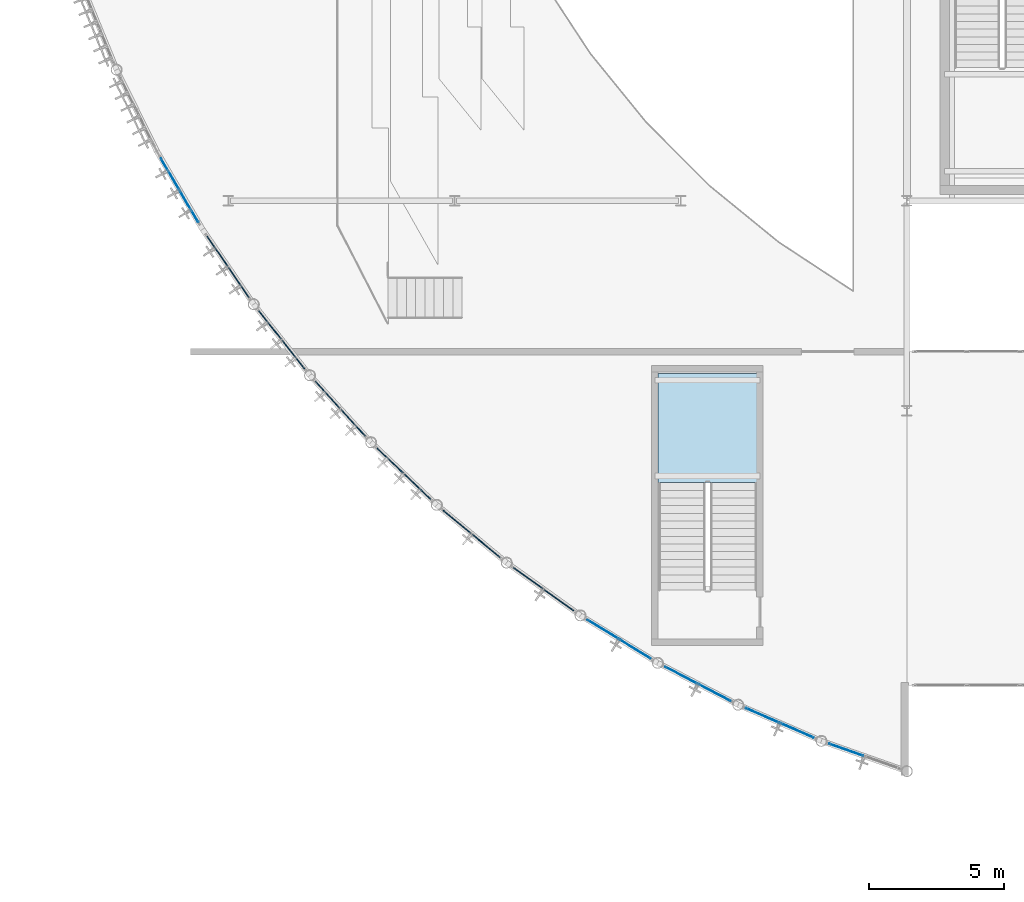
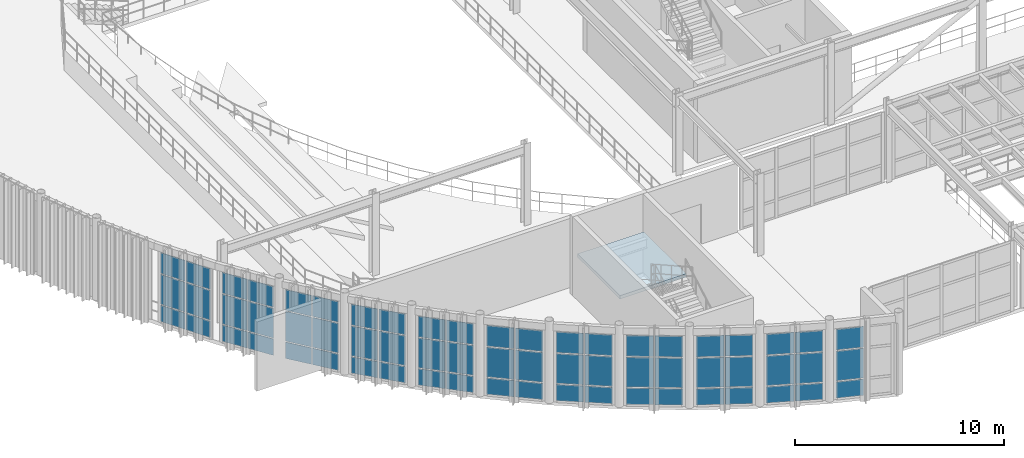
# One storey, part 72 of 105: 63 plates, 1 slab, 12 elements without a shape of their own.
"""IFC4 building model written with IfcOpenShell, lengths in metres."""

from ifc_helpers import new_model, si_unit, direction, frame, origin, origin_2d, place, context, subcontext, project, spatial, polyline, rectangle, outline, extrude, material, layer, layer_set, type_object, element, aggregate, save


model = new_model("IFC4")

# Units and contexts
model_context = context("Model", 3, precision=1e-05, world=origin(), true_north=direction((0.0, 1.0)))
body_context = subcontext(model_context, "Body", "Model", "MODEL_VIEW")
ifc_project = project(units=[si_unit("LENGTHUNIT", "METRE"), si_unit("AREAUNIT", "SQUARE_METRE"), si_unit("VOLUMEUNIT", "CUBIC_METRE"), si_unit("PLANEANGLEUNIT", "RADIAN"), si_unit("MASSUNIT", "GRAM", prefix="KILO")], contexts=[model_context])

# Site, building, storey
site_placement = place(None, origin())
site = spatial("IfcSite", under=ifc_project, at=site_placement, CompositionType="ELEMENT")
building_placement = place(site_placement, origin())
building = spatial("IfcBuilding", under=site, at=building_placement, Name="Selat Folded Stagehouse", CompositionType="ELEMENT")
storey_placement = place(building_placement, frame((0.0, 0.0, 10.199951171875)))
storey = spatial("IfcBuildingStorey", under=building, at=storey_placement, Name="L02", CompositionType="ELEMENT", Elevation=10.199951171875)

# Curtain wall, plates
ifc_material_1 = material(Name="Aluminium 6063-T6", Category="aluminium")
ifc_layer_1 = layer(ifc_material_1, 0.199951171875)
ifc_layer_set_1 = layer_set([ifc_layer_1], Name="Aluminium 6063-T6")
curtain_wall_type = type_object("IfcCurtainWallType", Name="CW-DRM-MID", PredefinedType="NOTDEFINED", material=ifc_layer_set_1)
curtain_wall_1_placement = place(storey_placement, origin())
curtain_wall_1 = element("IfcCurtainWall", 1, at=curtain_wall_1_placement, inside=storey, type_object=curtain_wall_type, Name="L02 curtain wall CW-DRM-L02-09", PredefinedType="NOTDEFINED")
ifc_material_2 = material(Name="Laminated low-E double glazing", Category="glass")
ifc_layer_2 = layer(ifc_material_2, 0.031982421875)
ifc_layer_set_2 = layer_set([ifc_layer_2], Name="Laminated low-E double glazing")
plate_type = type_object("IfcPlateType", Name="CWP-GLZ-DGU32", PredefinedType="CURTAIN_PANEL", material=ifc_layer_set_2)
plate_1_placement = place(storey_placement, frame((6.93994140625, 23.186279296875, 0.06494140625), z_axis=(0.0, 0.0, 1.0), x_axis=(-0.504635839764, 0.863332305214, 0.0)))
plate_1 = element("IfcPlate", 2, at=plate_1_placement, type_object=plate_type, Name="CW-02 panel 1.1", PredefinedType="CURTAIN_PANEL", context=body_context, shape_type="SweptSolid", body=[
    extrude(rectangle(XDim=1.3369140625, YDim=0.031982421875, at=origin_2d()), origin(), (0.0, 0.0, 1.0), 0.952392578125),
])
plate_2_placement = place(storey_placement, frame((6.93994140625, 23.186279296875, 1.08251953125), z_axis=(0.0, 0.0, 1.0), x_axis=(-0.504635839764, 0.863332305214, 0.0)))
plate_2 = element("IfcPlate", 3, at=plate_2_placement, type_object=plate_type, Name="CW-02 panel 1.2", PredefinedType="CURTAIN_PANEL", context=body_context, shape_type="SweptSolid", body=[
    extrude(rectangle(XDim=1.3369140625, YDim=0.031982421875, at=origin_2d()), origin(), (0.0, 0.0, 1.0), 1.735107421875),
])
plate_3_placement = place(storey_placement, frame((6.93994140625, 23.186279296875, 2.882568359375), z_axis=(0.0, 0.0, 1.0), x_axis=(-0.504635839764, 0.863332305214, 0.0)))
plate_3 = element("IfcPlate", 4, at=plate_3_placement, type_object=plate_type, Name="CW-02 panel 1.3", PredefinedType="CURTAIN_PANEL", context=body_context, shape_type="SweptSolid", body=[
    extrude(rectangle(XDim=1.3369140625, YDim=0.031982421875, at=origin_2d()), origin(), (0.0, 0.0, 1.0), 1.21240234375),
])
plate_4_placement = place(storey_placement, frame((6.232421875, 24.396728515625, 0.06494140625), z_axis=(0.0, 0.0, 1.0), x_axis=(-0.504635839764, 0.863332305214, 0.0)))
plate_4 = element("IfcPlate", 5, at=plate_4_placement, type_object=plate_type, Name="CW-02 panel 2.1", PredefinedType="CURTAIN_PANEL", context=body_context, shape_type="SweptSolid", body=[
    extrude(rectangle(XDim=1.3369140625, YDim=0.031982421875, at=origin_2d()), origin(), (0.0, 0.0, 1.0), 0.952392578125),
])
plate_5_placement = place(storey_placement, frame((6.232421875, 24.396728515625, 1.08251953125), z_axis=(0.0, 0.0, 1.0), x_axis=(-0.504635839764, 0.863332305214, 0.0)))
plate_5 = element("IfcPlate", 6, at=plate_5_placement, type_object=plate_type, Name="CW-02 panel 2.2", PredefinedType="CURTAIN_PANEL", context=body_context, shape_type="SweptSolid", body=[
    extrude(rectangle(XDim=1.3369140625, YDim=0.031982421875, at=origin_2d()), origin(), (0.0, 0.0, 1.0), 1.735107421875),
])
plate_6_placement = place(storey_placement, frame((6.232421875, 24.396728515625, 2.882568359375), z_axis=(0.0, 0.0, 1.0), x_axis=(-0.504635839764, 0.863332305214, 0.0)))
plate_6 = element("IfcPlate", 7, at=plate_6_placement, type_object=plate_type, Name="CW-02 panel 2.3", PredefinedType="CURTAIN_PANEL", context=body_context, shape_type="SweptSolid", body=[
    extrude(rectangle(XDim=1.3369140625, YDim=0.031982421875, at=origin_2d()), origin(), (0.0, 0.0, 1.0), 1.21240234375),
])
aggregate(curtain_wall_1, [plate_1, plate_2, plate_3, plate_4, plate_5, plate_6])

curtain_wall_2_placement = place(storey_placement, origin())
curtain_wall_2 = element("IfcCurtainWall", 8, at=curtain_wall_2_placement, inside=storey, type_object=curtain_wall_type, Name="L02 curtain wall CW-DRM-L02-10", PredefinedType="NOTDEFINED")
plate_7_placement = place(storey_placement, frame((8.781494140625, 20.3671875, 0.06494140625), z_axis=(0.0, 0.0, 1.0), x_axis=(-0.563947732504, 0.825810483709, 0.0)))
plate_7 = element("IfcPlate", 9, at=plate_7_placement, type_object=plate_type, Name="CW-02 panel 1.1", PredefinedType="CURTAIN_PANEL", context=body_context, shape_type="SweptSolid", body=[
    extrude(rectangle(XDim=1.3369140625, YDim=0.031982421875, at=origin_2d()), origin(), (0.0, 0.0, 1.0), 0.952392578125),
])
plate_8_placement = place(storey_placement, frame((8.781494140625, 20.3671875, 1.08251953125), z_axis=(0.0, 0.0, 1.0), x_axis=(-0.563947732504, 0.825810483709, 0.0)))
plate_8 = element("IfcPlate", 10, at=plate_8_placement, type_object=plate_type, Name="CW-02 panel 1.2", PredefinedType="CURTAIN_PANEL", context=body_context, shape_type="SweptSolid", body=[
    extrude(rectangle(XDim=1.3369140625, YDim=0.031982421875, at=origin_2d()), origin(), (0.0, 0.0, 1.0), 1.735107421875),
])
plate_9_placement = place(storey_placement, frame((8.781494140625, 20.3671875, 2.882568359375), z_axis=(0.0, 0.0, 1.0), x_axis=(-0.563947732504, 0.825810483709, 0.0)))
plate_9 = element("IfcPlate", 11, at=plate_9_placement, type_object=plate_type, Name="CW-02 panel 1.3", PredefinedType="CURTAIN_PANEL", context=body_context, shape_type="SweptSolid", body=[
    extrude(rectangle(XDim=1.3369140625, YDim=0.031982421875, at=origin_2d()), origin(), (0.0, 0.0, 1.0), 1.21240234375),
])
plate_10_placement = place(storey_placement, frame((7.990966796875, 21.525146484375, 0.06494140625), z_axis=(0.0, 0.0, 1.0), x_axis=(-0.563947732504, 0.825810483709, 0.0)))
plate_10 = element("IfcPlate", 12, at=plate_10_placement, type_object=plate_type, Name="CW-02 panel 2.1", PredefinedType="CURTAIN_PANEL", context=body_context, shape_type="SweptSolid", body=[
    extrude(rectangle(XDim=1.3369140625, YDim=0.031982421875, at=origin_2d()), origin(), (0.0, 0.0, 1.0), 0.952392578125),
])
plate_11_placement = place(storey_placement, frame((7.990966796875, 21.525146484375, 1.08251953125), z_axis=(0.0, 0.0, 1.0), x_axis=(-0.563947732504, 0.825810483709, 0.0)))
plate_11 = element("IfcPlate", 13, at=plate_11_placement, type_object=plate_type, Name="CW-02 panel 2.2", PredefinedType="CURTAIN_PANEL", context=body_context, shape_type="SweptSolid", body=[
    extrude(rectangle(XDim=1.3369140625, YDim=0.031982421875, at=origin_2d()), origin(), (0.0, 0.0, 1.0), 1.735107421875),
])
plate_12_placement = place(storey_placement, frame((7.990966796875, 21.525146484375, 2.882568359375), z_axis=(0.0, 0.0, 1.0), x_axis=(-0.563947732504, 0.825810483709, 0.0)))
plate_12 = element("IfcPlate", 14, at=plate_12_placement, type_object=plate_type, Name="CW-02 panel 2.3", PredefinedType="CURTAIN_PANEL", context=body_context, shape_type="SweptSolid", body=[
    extrude(rectangle(XDim=1.3369140625, YDim=0.031982421875, at=origin_2d()), origin(), (0.0, 0.0, 1.0), 1.21240234375),
])
aggregate(curtain_wall_2, [plate_7, plate_8, plate_9, plate_10, plate_11, plate_12])

curtain_wall_3_placement = place(storey_placement, origin())
curtain_wall_3 = element("IfcCurtainWall", 15, at=curtain_wall_3_placement, inside=storey, type_object=curtain_wall_type, Name="L02 curtain wall CW-DRM-L02-11", PredefinedType="NOTDEFINED")
plate_13_placement = place(storey_placement, frame((10.81640625, 17.684326171875, 0.06494140625), z_axis=(0.0, 0.0, 1.0), x_axis=(-0.620533301992, 0.784180094825, 0.0)))
plate_13 = element("IfcPlate", 16, at=plate_13_placement, type_object=plate_type, Name="CW-02 panel 1.1", PredefinedType="CURTAIN_PANEL", context=body_context, shape_type="SweptSolid", body=[
    extrude(rectangle(XDim=1.3369140625, YDim=0.031982421875, at=origin_2d()), origin(), (0.0, 0.0, 1.0), 0.952392578125),
])
plate_14_placement = place(storey_placement, frame((10.81640625, 17.684326171875, 1.08251953125), z_axis=(0.0, 0.0, 1.0), x_axis=(-0.620533301992, 0.784180094825, 0.0)))
plate_14 = element("IfcPlate", 17, at=plate_14_placement, type_object=plate_type, Name="CW-02 panel 1.2", PredefinedType="CURTAIN_PANEL", context=body_context, shape_type="SweptSolid", body=[
    extrude(rectangle(XDim=1.3369140625, YDim=0.031982421875, at=origin_2d()), origin(), (0.0, 0.0, 1.0), 1.735107421875),
])
plate_15_placement = place(storey_placement, frame((10.81640625, 17.684326171875, 2.882568359375), z_axis=(0.0, 0.0, 1.0), x_axis=(-0.620533301992, 0.784180094825, 0.0)))
plate_15 = element("IfcPlate", 18, at=plate_15_placement, type_object=plate_type, Name="CW-02 panel 1.3", PredefinedType="CURTAIN_PANEL", context=body_context, shape_type="SweptSolid", body=[
    extrude(rectangle(XDim=1.3369140625, YDim=0.031982421875, at=origin_2d()), origin(), (0.0, 0.0, 1.0), 1.21240234375),
])
plate_16_placement = place(storey_placement, frame((9.946533203125, 18.78369140625, 0.06494140625), z_axis=(0.0, 0.0, 1.0), x_axis=(-0.620533301992, 0.784180094825, 0.0)))
plate_16 = element("IfcPlate", 19, at=plate_16_placement, type_object=plate_type, Name="CW-02 panel 2.1", PredefinedType="CURTAIN_PANEL", context=body_context, shape_type="SweptSolid", body=[
    extrude(rectangle(XDim=1.3369140625, YDim=0.031982421875, at=origin_2d()), origin(), (0.0, 0.0, 1.0), 0.952392578125),
])
plate_17_placement = place(storey_placement, frame((9.946533203125, 18.78369140625, 1.08251953125), z_axis=(0.0, 0.0, 1.0), x_axis=(-0.620533301992, 0.784180094825, 0.0)))
plate_17 = element("IfcPlate", 20, at=plate_17_placement, type_object=plate_type, Name="CW-02 panel 2.2", PredefinedType="CURTAIN_PANEL", context=body_context, shape_type="SweptSolid", body=[
    extrude(rectangle(XDim=1.3369140625, YDim=0.031982421875, at=origin_2d()), origin(), (0.0, 0.0, 1.0), 1.735107421875),
])
plate_18_placement = place(storey_placement, frame((9.946533203125, 18.78369140625, 2.882568359375), z_axis=(0.0, 0.0, 1.0), x_axis=(-0.620533301992, 0.784180094825, 0.0)))
plate_18 = element("IfcPlate", 21, at=plate_18_placement, type_object=plate_type, Name="CW-02 panel 2.3", PredefinedType="CURTAIN_PANEL", context=body_context, shape_type="SweptSolid", body=[
    extrude(rectangle(XDim=1.3369140625, YDim=0.031982421875, at=origin_2d()), origin(), (0.0, 0.0, 1.0), 1.21240234375),
])
aggregate(curtain_wall_3, [plate_13, plate_14, plate_15, plate_16, plate_17, plate_18])

curtain_wall_4_placement = place(storey_placement, origin())
curtain_wall_4 = element("IfcCurtainWall", 22, at=curtain_wall_4_placement, inside=storey, type_object=curtain_wall_type, Name="L02 curtain wall CW-DRM-L02-12", PredefinedType="NOTDEFINED")
plate_19_placement = place(storey_placement, frame((13.034423828125, 15.15087890625, 0.06494140625), z_axis=(0.0, 0.0, 1.0), x_axis=(-0.674002369336, 0.738729183213, 0.0)))
plate_19 = element("IfcPlate", 23, at=plate_19_placement, type_object=plate_type, Name="CW-02 panel 1.1", PredefinedType="CURTAIN_PANEL", context=body_context, shape_type="SweptSolid", body=[
    extrude(rectangle(XDim=1.3369140625, YDim=0.031982421875, at=origin_2d()), origin(), (0.0, 0.0, 1.0), 0.952392578125),
])
plate_20_placement = place(storey_placement, frame((13.034423828125, 15.15087890625, 1.08251953125), z_axis=(0.0, 0.0, 1.0), x_axis=(-0.674002369336, 0.738729183213, 0.0)))
plate_20 = element("IfcPlate", 24, at=plate_20_placement, type_object=plate_type, Name="CW-02 panel 1.2", PredefinedType="CURTAIN_PANEL", context=body_context, shape_type="SweptSolid", body=[
    extrude(rectangle(XDim=1.3369140625, YDim=0.031982421875, at=origin_2d()), origin(), (0.0, 0.0, 1.0), 1.735107421875),
])
plate_21_placement = place(storey_placement, frame((13.034423828125, 15.15087890625, 2.882568359375), z_axis=(0.0, 0.0, 1.0), x_axis=(-0.674002369336, 0.738729183213, 0.0)))
plate_21 = element("IfcPlate", 25, at=plate_21_placement, type_object=plate_type, Name="CW-02 panel 1.3", PredefinedType="CURTAIN_PANEL", context=body_context, shape_type="SweptSolid", body=[
    extrude(rectangle(XDim=1.3369140625, YDim=0.031982421875, at=origin_2d()), origin(), (0.0, 0.0, 1.0), 1.21240234375),
])
plate_22_placement = place(storey_placement, frame((12.089599609375, 16.1865234375, 0.06494140625), z_axis=(0.0, 0.0, 1.0), x_axis=(-0.674002369336, 0.738729183213, 0.0)))
plate_22 = element("IfcPlate", 26, at=plate_22_placement, type_object=plate_type, Name="CW-02 panel 2.1", PredefinedType="CURTAIN_PANEL", context=body_context, shape_type="SweptSolid", body=[
    extrude(rectangle(XDim=1.3369140625, YDim=0.031982421875, at=origin_2d()), origin(), (0.0, 0.0, 1.0), 0.952392578125),
])
plate_23_placement = place(storey_placement, frame((12.089599609375, 16.1865234375, 1.08251953125), z_axis=(0.0, 0.0, 1.0), x_axis=(-0.674002369336, 0.738729183213, 0.0)))
plate_23 = element("IfcPlate", 27, at=plate_23_placement, type_object=plate_type, Name="CW-02 panel 2.2", PredefinedType="CURTAIN_PANEL", context=body_context, shape_type="SweptSolid", body=[
    extrude(rectangle(XDim=1.3369140625, YDim=0.031982421875, at=origin_2d()), origin(), (0.0, 0.0, 1.0), 1.735107421875),
])
plate_24_placement = place(storey_placement, frame((12.089599609375, 16.1865234375, 2.882568359375), z_axis=(0.0, 0.0, 1.0), x_axis=(-0.674002369336, 0.738729183213, 0.0)))
plate_24 = element("IfcPlate", 28, at=plate_24_placement, type_object=plate_type, Name="CW-02 panel 2.3", PredefinedType="CURTAIN_PANEL", context=body_context, shape_type="SweptSolid", body=[
    extrude(rectangle(XDim=1.3369140625, YDim=0.031982421875, at=origin_2d()), origin(), (0.0, 0.0, 1.0), 1.21240234375),
])
aggregate(curtain_wall_4, [plate_19, plate_20, plate_21, plate_22, plate_23, plate_24])

curtain_wall_5_placement = place(storey_placement, origin())
curtain_wall_5 = element("IfcCurtainWall", 29, at=curtain_wall_5_placement, inside=storey, type_object=curtain_wall_type, Name="L02 curtain wall CW-DRM-L02-13", PredefinedType="NOTDEFINED")
plate_25_placement = place(storey_placement, frame((15.4248046875, 12.779052734375, 0.06494140625), z_axis=(0.0, 0.0, 1.0), x_axis=(-0.724132128869, 0.689661264636, 0.0)))
plate_25 = element("IfcPlate", 30, at=plate_25_placement, type_object=plate_type, Name="CW-02 panel 1.1", PredefinedType="CURTAIN_PANEL", context=body_context, shape_type="SweptSolid", body=[
    extrude(rectangle(XDim=1.337158203125, YDim=0.031982421875, at=origin_2d()), origin(), (0.0, 0.0, 1.0), 0.952392578125),
])
plate_26_placement = place(storey_placement, frame((15.4248046875, 12.779052734375, 1.08251953125), z_axis=(0.0, 0.0, 1.0), x_axis=(-0.724132128869, 0.689661264636, 0.0)))
plate_26 = element("IfcPlate", 31, at=plate_26_placement, type_object=plate_type, Name="CW-02 panel 1.2", PredefinedType="CURTAIN_PANEL", context=body_context, shape_type="SweptSolid", body=[
    extrude(rectangle(XDim=1.337158203125, YDim=0.031982421875, at=origin_2d()), origin(), (0.0, 0.0, 1.0), 1.735107421875),
])
plate_27_placement = place(storey_placement, frame((15.4248046875, 12.779052734375, 2.882568359375), z_axis=(0.0, 0.0, 1.0), x_axis=(-0.724132128869, 0.689661264636, 0.0)))
plate_27 = element("IfcPlate", 32, at=plate_27_placement, type_object=plate_type, Name="CW-02 panel 1.3", PredefinedType="CURTAIN_PANEL", context=body_context, shape_type="SweptSolid", body=[
    extrude(rectangle(XDim=1.337158203125, YDim=0.031982421875, at=origin_2d()), origin(), (0.0, 0.0, 1.0), 1.21240234375),
])
plate_28_placement = place(storey_placement, frame((14.40966796875, 13.74609375, 0.06494140625), z_axis=(0.0, 0.0, 1.0), x_axis=(-0.724132128869, 0.689661264636, 0.0)))
plate_28 = element("IfcPlate", 33, at=plate_28_placement, type_object=plate_type, Name="CW-02 panel 2.1", PredefinedType="CURTAIN_PANEL", context=body_context, shape_type="SweptSolid", body=[
    extrude(rectangle(XDim=1.337158203125, YDim=0.031982421875, at=origin_2d()), origin(), (0.0, 0.0, 1.0), 0.952392578125),
])
plate_29_placement = place(storey_placement, frame((14.40966796875, 13.74609375, 1.08251953125), z_axis=(0.0, 0.0, 1.0), x_axis=(-0.724132128869, 0.689661264636, 0.0)))
plate_29 = element("IfcPlate", 34, at=plate_29_placement, type_object=plate_type, Name="CW-02 panel 2.2", PredefinedType="CURTAIN_PANEL", context=body_context, shape_type="SweptSolid", body=[
    extrude(rectangle(XDim=1.337158203125, YDim=0.031982421875, at=origin_2d()), origin(), (0.0, 0.0, 1.0), 1.735107421875),
])
plate_30_placement = place(storey_placement, frame((14.40966796875, 13.74609375, 2.882568359375), z_axis=(0.0, 0.0, 1.0), x_axis=(-0.724132128869, 0.689661264636, 0.0)))
plate_30 = element("IfcPlate", 35, at=plate_30_placement, type_object=plate_type, Name="CW-02 panel 2.3", PredefinedType="CURTAIN_PANEL", context=body_context, shape_type="SweptSolid", body=[
    extrude(rectangle(XDim=1.337158203125, YDim=0.031982421875, at=origin_2d()), origin(), (0.0, 0.0, 1.0), 1.21240234375),
])
aggregate(curtain_wall_5, [plate_25, plate_26, plate_27, plate_28, plate_29, plate_30])

curtain_wall_6_placement = place(storey_placement, origin())
curtain_wall_6 = element("IfcCurtainWall", 36, at=curtain_wall_6_placement, inside=storey, type_object=curtain_wall_type, Name="L02 curtain wall CW-DRM-L02-14", PredefinedType="NOTDEFINED")
plate_31_placement = place(storey_placement, frame((17.9755859375, 10.580810546875, 0.06494140625), z_axis=(0.0, 0.0, 1.0), x_axis=(-0.770746654899, 0.637141737734, 0.0)))
plate_31 = element("IfcPlate", 37, at=plate_31_placement, type_object=plate_type, Name="CW-02 panel 1.1", PredefinedType="CURTAIN_PANEL", context=body_context, shape_type="SweptSolid", body=[
    extrude(rectangle(XDim=1.3369140625, YDim=0.031982421875, at=origin_2d()), origin(), (0.0, 0.0, 1.0), 0.952392578125),
])
plate_32_placement = place(storey_placement, frame((17.9755859375, 10.580810546875, 1.08251953125), z_axis=(0.0, 0.0, 1.0), x_axis=(-0.770746654899, 0.637141737734, 0.0)))
plate_32 = element("IfcPlate", 38, at=plate_32_placement, type_object=plate_type, Name="CW-02 panel 1.2", PredefinedType="CURTAIN_PANEL", context=body_context, shape_type="SweptSolid", body=[
    extrude(rectangle(XDim=1.3369140625, YDim=0.031982421875, at=origin_2d()), origin(), (0.0, 0.0, 1.0), 1.735107421875),
])
plate_33_placement = place(storey_placement, frame((17.9755859375, 10.580810546875, 2.882568359375), z_axis=(0.0, 0.0, 1.0), x_axis=(-0.770746654899, 0.637141737734, 0.0)))
plate_33 = element("IfcPlate", 39, at=plate_33_placement, type_object=plate_type, Name="CW-02 panel 1.3", PredefinedType="CURTAIN_PANEL", context=body_context, shape_type="SweptSolid", body=[
    extrude(rectangle(XDim=1.3369140625, YDim=0.031982421875, at=origin_2d()), origin(), (0.0, 0.0, 1.0), 1.21240234375),
])
plate_34_placement = place(storey_placement, frame((16.89501953125, 11.47412109375, 0.06494140625), z_axis=(0.0, 0.0, 1.0), x_axis=(-0.770746654899, 0.637141737734, 0.0)))
plate_34 = element("IfcPlate", 40, at=plate_34_placement, type_object=plate_type, Name="CW-02 panel 2.1", PredefinedType="CURTAIN_PANEL", context=body_context, shape_type="SweptSolid", body=[
    extrude(rectangle(XDim=1.3369140625, YDim=0.031982421875, at=origin_2d()), origin(), (0.0, 0.0, 1.0), 0.952392578125),
])
plate_35_placement = place(storey_placement, frame((16.89501953125, 11.47412109375, 1.08251953125), z_axis=(0.0, 0.0, 1.0), x_axis=(-0.770746654899, 0.637141737734, 0.0)))
plate_35 = element("IfcPlate", 41, at=plate_35_placement, type_object=plate_type, Name="CW-02 panel 2.2", PredefinedType="CURTAIN_PANEL", context=body_context, shape_type="SweptSolid", body=[
    extrude(rectangle(XDim=1.3369140625, YDim=0.031982421875, at=origin_2d()), origin(), (0.0, 0.0, 1.0), 1.735107421875),
])
plate_36_placement = place(storey_placement, frame((16.89501953125, 11.47412109375, 2.882568359375), z_axis=(0.0, 0.0, 1.0), x_axis=(-0.770746654899, 0.637141737734, 0.0)))
plate_36 = element("IfcPlate", 42, at=plate_36_placement, type_object=plate_type, Name="CW-02 panel 2.3", PredefinedType="CURTAIN_PANEL", context=body_context, shape_type="SweptSolid", body=[
    extrude(rectangle(XDim=1.3369140625, YDim=0.031982421875, at=origin_2d()), origin(), (0.0, 0.0, 1.0), 1.21240234375),
])
aggregate(curtain_wall_6, [plate_31, plate_32, plate_33, plate_34, plate_35, plate_36])

curtain_wall_7_placement = place(storey_placement, origin())
curtain_wall_7 = element("IfcCurtainWall", 43, at=curtain_wall_7_placement, inside=storey, type_object=curtain_wall_type, Name="L02 curtain wall CW-DRM-L02-15", PredefinedType="NOTDEFINED")
plate_37_placement = place(storey_placement, frame((20.67431640625, 8.567138671875, 0.06494140625), z_axis=(0.0, 0.0, 1.0), x_axis=(-0.813526170861, 0.581528304836, 0.0)))
plate_37 = element("IfcPlate", 44, at=plate_37_placement, type_object=plate_type, Name="CW-02 panel 1.1", PredefinedType="CURTAIN_PANEL", context=body_context, shape_type="SweptSolid", body=[
    extrude(rectangle(XDim=1.3369140625, YDim=0.031982421875, at=origin_2d()), origin(), (0.0, 0.0, 1.0), 0.952392578125),
])
plate_38_placement = place(storey_placement, frame((20.67431640625, 8.567138671875, 1.08251953125), z_axis=(0.0, 0.0, 1.0), x_axis=(-0.813526170861, 0.581528304836, 0.0)))
plate_38 = element("IfcPlate", 45, at=plate_38_placement, type_object=plate_type, Name="CW-02 panel 1.2", PredefinedType="CURTAIN_PANEL", context=body_context, shape_type="SweptSolid", body=[
    extrude(rectangle(XDim=1.3369140625, YDim=0.031982421875, at=origin_2d()), origin(), (0.0, 0.0, 1.0), 1.735107421875),
])
plate_39_placement = place(storey_placement, frame((20.67431640625, 8.567138671875, 2.882568359375), z_axis=(0.0, 0.0, 1.0), x_axis=(-0.813526170861, 0.581528304836, 0.0)))
plate_39 = element("IfcPlate", 46, at=plate_39_placement, type_object=plate_type, Name="CW-02 panel 1.3", PredefinedType="CURTAIN_PANEL", context=body_context, shape_type="SweptSolid", body=[
    extrude(rectangle(XDim=1.3369140625, YDim=0.031982421875, at=origin_2d()), origin(), (0.0, 0.0, 1.0), 1.21240234375),
])
plate_40_placement = place(storey_placement, frame((19.53369140625, 9.38232421875, 0.06494140625), z_axis=(0.0, 0.0, 1.0), x_axis=(-0.813526170861, 0.581528304836, 0.0)))
plate_40 = element("IfcPlate", 47, at=plate_40_placement, type_object=plate_type, Name="CW-02 panel 2.1", PredefinedType="CURTAIN_PANEL", context=body_context, shape_type="SweptSolid", body=[
    extrude(rectangle(XDim=1.3369140625, YDim=0.031982421875, at=origin_2d()), origin(), (0.0, 0.0, 1.0), 0.952392578125),
])
plate_41_placement = place(storey_placement, frame((19.53369140625, 9.38232421875, 1.08251953125), z_axis=(0.0, 0.0, 1.0), x_axis=(-0.813526170861, 0.581528304836, 0.0)))
plate_41 = element("IfcPlate", 48, at=plate_41_placement, type_object=plate_type, Name="CW-02 panel 2.2", PredefinedType="CURTAIN_PANEL", context=body_context, shape_type="SweptSolid", body=[
    extrude(rectangle(XDim=1.3369140625, YDim=0.031982421875, at=origin_2d()), origin(), (0.0, 0.0, 1.0), 1.735107421875),
])
plate_42_placement = place(storey_placement, frame((19.53369140625, 9.38232421875, 2.882568359375), z_axis=(0.0, 0.0, 1.0), x_axis=(-0.813526170861, 0.581528304836, 0.0)))
plate_42 = element("IfcPlate", 49, at=plate_42_placement, type_object=plate_type, Name="CW-02 panel 2.3", PredefinedType="CURTAIN_PANEL", context=body_context, shape_type="SweptSolid", body=[
    extrude(rectangle(XDim=1.3369140625, YDim=0.031982421875, at=origin_2d()), origin(), (0.0, 0.0, 1.0), 1.21240234375),
])
aggregate(curtain_wall_7, [plate_37, plate_38, plate_39, plate_40, plate_41, plate_42])

curtain_wall_8_placement = place(storey_placement, origin())
curtain_wall_8 = element("IfcCurtainWall", 50, at=curtain_wall_8_placement, inside=storey, type_object=curtain_wall_type, Name="L02 curtain wall CW-DRM-L02-16", PredefinedType="NOTDEFINED")
plate_43_placement = place(storey_placement, frame((23.507568359375, 6.747314453125, 0.06494140625), z_axis=(0.0, 0.0, 1.0), x_axis=(-0.852317078277, 0.523025427755, 0.0)))
plate_43 = element("IfcPlate", 51, at=plate_43_placement, type_object=plate_type, Name="CW-02 panel 1.1", PredefinedType="CURTAIN_PANEL", context=body_context, shape_type="SweptSolid", body=[
    extrude(rectangle(XDim=1.3369140625, YDim=0.031982421875, at=origin_2d()), origin(), (0.0, 0.0, 1.0), 0.952392578125),
])
plate_44_placement = place(storey_placement, frame((23.507568359375, 6.747314453125, 1.08251953125), z_axis=(0.0, 0.0, 1.0), x_axis=(-0.852317078277, 0.523025427755, 0.0)))
plate_44 = element("IfcPlate", 52, at=plate_44_placement, type_object=plate_type, Name="CW-02 panel 1.2", PredefinedType="CURTAIN_PANEL", context=body_context, shape_type="SweptSolid", body=[
    extrude(rectangle(XDim=1.3369140625, YDim=0.031982421875, at=origin_2d()), origin(), (0.0, 0.0, 1.0), 1.735107421875),
])
plate_45_placement = place(storey_placement, frame((23.507568359375, 6.747314453125, 2.882568359375), z_axis=(0.0, 0.0, 1.0), x_axis=(-0.852317078277, 0.523025427755, 0.0)))
plate_45 = element("IfcPlate", 53, at=plate_45_placement, type_object=plate_type, Name="CW-02 panel 1.3", PredefinedType="CURTAIN_PANEL", context=body_context, shape_type="SweptSolid", body=[
    extrude(rectangle(XDim=1.3369140625, YDim=0.031982421875, at=origin_2d()), origin(), (0.0, 0.0, 1.0), 1.21240234375),
])
plate_46_placement = place(storey_placement, frame((22.312744140625, 7.480712890625, 0.06494140625), z_axis=(0.0, 0.0, 1.0), x_axis=(-0.852317078277, 0.523025427755, 0.0)))
plate_46 = element("IfcPlate", 54, at=plate_46_placement, type_object=plate_type, Name="CW-02 panel 2.1", PredefinedType="CURTAIN_PANEL", context=body_context, shape_type="SweptSolid", body=[
    extrude(rectangle(XDim=1.3369140625, YDim=0.031982421875, at=origin_2d()), origin(), (0.0, 0.0, 1.0), 0.952392578125),
])
plate_47_placement = place(storey_placement, frame((22.312744140625, 7.480712890625, 1.08251953125), z_axis=(0.0, 0.0, 1.0), x_axis=(-0.852317078277, 0.523025427755, 0.0)))
plate_47 = element("IfcPlate", 55, at=plate_47_placement, type_object=plate_type, Name="CW-02 panel 2.2", PredefinedType="CURTAIN_PANEL", context=body_context, shape_type="SweptSolid", body=[
    extrude(rectangle(XDim=1.3369140625, YDim=0.031982421875, at=origin_2d()), origin(), (0.0, 0.0, 1.0), 1.735107421875),
])
plate_48_placement = place(storey_placement, frame((22.312744140625, 7.480712890625, 2.882568359375), z_axis=(0.0, 0.0, 1.0), x_axis=(-0.852317078277, 0.523025427755, 0.0)))
plate_48 = element("IfcPlate", 56, at=plate_48_placement, type_object=plate_type, Name="CW-02 panel 2.3", PredefinedType="CURTAIN_PANEL", context=body_context, shape_type="SweptSolid", body=[
    extrude(rectangle(XDim=1.3369140625, YDim=0.031982421875, at=origin_2d()), origin(), (0.0, 0.0, 1.0), 1.21240234375),
])
aggregate(curtain_wall_8, [plate_43, plate_44, plate_45, plate_46, plate_47, plate_48])

curtain_wall_9_placement = place(storey_placement, origin())
curtain_wall_9 = element("IfcCurtainWall", 57, at=curtain_wall_9_placement, inside=storey, type_object=curtain_wall_type, Name="L02 curtain wall CW-DRM-L02-17", PredefinedType="NOTDEFINED")
plate_49_placement = place(storey_placement, frame((26.46142578125, 5.131103515625, 0.06494140625), z_axis=(0.0, 0.0, 1.0), x_axis=(-0.886915869147, 0.461930991659, 0.0)))
plate_49 = element("IfcPlate", 58, at=plate_49_placement, type_object=plate_type, Name="CW-02 panel 1.1", PredefinedType="CURTAIN_PANEL", context=body_context, shape_type="SweptSolid", body=[
    extrude(rectangle(XDim=1.3369140625, YDim=0.031982421875, at=origin_2d()), origin(), (0.0, 0.0, 1.0), 0.952392578125),
])
plate_50_placement = place(storey_placement, frame((26.46142578125, 5.131103515625, 1.08251953125), z_axis=(0.0, 0.0, 1.0), x_axis=(-0.886915869147, 0.461930991659, 0.0)))
plate_50 = element("IfcPlate", 59, at=plate_50_placement, type_object=plate_type, Name="CW-02 panel 1.2", PredefinedType="CURTAIN_PANEL", context=body_context, shape_type="SweptSolid", body=[
    extrude(rectangle(XDim=1.3369140625, YDim=0.031982421875, at=origin_2d()), origin(), (0.0, 0.0, 1.0), 1.735107421875),
])
plate_51_placement = place(storey_placement, frame((26.46142578125, 5.131103515625, 2.882568359375), z_axis=(0.0, 0.0, 1.0), x_axis=(-0.886915869147, 0.461930991659, 0.0)))
plate_51 = element("IfcPlate", 60, at=plate_51_placement, type_object=plate_type, Name="CW-02 panel 1.3", PredefinedType="CURTAIN_PANEL", context=body_context, shape_type="SweptSolid", body=[
    extrude(rectangle(XDim=1.3369140625, YDim=0.031982421875, at=origin_2d()), origin(), (0.0, 0.0, 1.0), 1.21240234375),
])
plate_52_placement = place(storey_placement, frame((25.218017578125, 5.778564453125, 0.06494140625), z_axis=(0.0, 0.0, 1.0), x_axis=(-0.886915869147, 0.461930991659, 0.0)))
plate_52 = element("IfcPlate", 61, at=plate_52_placement, type_object=plate_type, Name="CW-02 panel 2.1", PredefinedType="CURTAIN_PANEL", context=body_context, shape_type="SweptSolid", body=[
    extrude(rectangle(XDim=1.3369140625, YDim=0.031982421875, at=origin_2d()), origin(), (0.0, 0.0, 1.0), 0.952392578125),
])
plate_53_placement = place(storey_placement, frame((25.218017578125, 5.778564453125, 1.08251953125), z_axis=(0.0, 0.0, 1.0), x_axis=(-0.886915869147, 0.461930991659, 0.0)))
plate_53 = element("IfcPlate", 62, at=plate_53_placement, type_object=plate_type, Name="CW-02 panel 2.2", PredefinedType="CURTAIN_PANEL", context=body_context, shape_type="SweptSolid", body=[
    extrude(rectangle(XDim=1.3369140625, YDim=0.031982421875, at=origin_2d()), origin(), (0.0, 0.0, 1.0), 1.735107421875),
])
plate_54_placement = place(storey_placement, frame((25.218017578125, 5.778564453125, 2.882568359375), z_axis=(0.0, 0.0, 1.0), x_axis=(-0.886915869147, 0.461930991659, 0.0)))
plate_54 = element("IfcPlate", 63, at=plate_54_placement, type_object=plate_type, Name="CW-02 panel 2.3", PredefinedType="CURTAIN_PANEL", context=body_context, shape_type="SweptSolid", body=[
    extrude(rectangle(XDim=1.3369140625, YDim=0.031982421875, at=origin_2d()), origin(), (0.0, 0.0, 1.0), 1.21240234375),
])
aggregate(curtain_wall_9, [plate_49, plate_50, plate_51, plate_52, plate_53, plate_54])

curtain_wall_10_placement = place(storey_placement, origin())
curtain_wall_10 = element("IfcCurtainWall", 64, at=curtain_wall_10_placement, inside=storey, type_object=curtain_wall_type, Name="L02 curtain wall CW-DRM-L02-18", PredefinedType="NOTDEFINED")
plate_55_placement = place(storey_placement, frame((29.521484375, 3.725830078125, 0.06494140625), z_axis=(0.0, 0.0, 1.0), x_axis=(-0.917133771915, 0.39857953336, 0.0)))
plate_55 = element("IfcPlate", 65, at=plate_55_placement, type_object=plate_type, Name="CW-02 panel 1.1", PredefinedType="CURTAIN_PANEL", context=body_context, shape_type="SweptSolid", body=[
    extrude(rectangle(XDim=1.3369140625, YDim=0.031982421875, at=origin_2d()), origin(), (0.0, 0.0, 1.0), 0.952392578125),
])
plate_56_placement = place(storey_placement, frame((29.521484375, 3.725830078125, 1.08251953125), z_axis=(0.0, 0.0, 1.0), x_axis=(-0.917133771915, 0.39857953336, 0.0)))
plate_56 = element("IfcPlate", 66, at=plate_56_placement, type_object=plate_type, Name="CW-02 panel 1.2", PredefinedType="CURTAIN_PANEL", context=body_context, shape_type="SweptSolid", body=[
    extrude(rectangle(XDim=1.3369140625, YDim=0.031982421875, at=origin_2d()), origin(), (0.0, 0.0, 1.0), 1.735107421875),
])
plate_57_placement = place(storey_placement, frame((29.521484375, 3.725830078125, 2.882568359375), z_axis=(0.0, 0.0, 1.0), x_axis=(-0.917133771915, 0.39857953336, 0.0)))
plate_57 = element("IfcPlate", 67, at=plate_57_placement, type_object=plate_type, Name="CW-02 panel 1.3", PredefinedType="CURTAIN_PANEL", context=body_context, shape_type="SweptSolid", body=[
    extrude(rectangle(XDim=1.3369140625, YDim=0.031982421875, at=origin_2d()), origin(), (0.0, 0.0, 1.0), 1.21240234375),
])
plate_58_placement = place(storey_placement, frame((28.23583984375, 4.28466796875, 0.06494140625), z_axis=(0.0, 0.0, 1.0), x_axis=(-0.917133771915, 0.39857953336, 0.0)))
plate_58 = element("IfcPlate", 68, at=plate_58_placement, type_object=plate_type, Name="CW-02 panel 2.1", PredefinedType="CURTAIN_PANEL", context=body_context, shape_type="SweptSolid", body=[
    extrude(rectangle(XDim=1.3369140625, YDim=0.031982421875, at=origin_2d()), origin(), (0.0, 0.0, 1.0), 0.952392578125),
])
plate_59_placement = place(storey_placement, frame((28.23583984375, 4.28466796875, 1.08251953125), z_axis=(0.0, 0.0, 1.0), x_axis=(-0.917133771915, 0.39857953336, 0.0)))
plate_59 = element("IfcPlate", 69, at=plate_59_placement, type_object=plate_type, Name="CW-02 panel 2.2", PredefinedType="CURTAIN_PANEL", context=body_context, shape_type="SweptSolid", body=[
    extrude(rectangle(XDim=1.3369140625, YDim=0.031982421875, at=origin_2d()), origin(), (0.0, 0.0, 1.0), 1.735107421875),
])
plate_60_placement = place(storey_placement, frame((28.23583984375, 4.28466796875, 2.882568359375), z_axis=(0.0, 0.0, 1.0), x_axis=(-0.917133771915, 0.39857953336, 0.0)))
plate_60 = element("IfcPlate", 70, at=plate_60_placement, type_object=plate_type, Name="CW-02 panel 2.3", PredefinedType="CURTAIN_PANEL", context=body_context, shape_type="SweptSolid", body=[
    extrude(rectangle(XDim=1.3369140625, YDim=0.031982421875, at=origin_2d()), origin(), (0.0, 0.0, 1.0), 1.21240234375),
])
aggregate(curtain_wall_10, [plate_55, plate_56, plate_57, plate_58, plate_59, plate_60])

curtain_wall_11_placement = place(storey_placement, origin())
curtain_wall_11 = element("IfcCurtainWall", 71, at=curtain_wall_11_placement, inside=storey, type_object=curtain_wall_type, Name="L02 curtain wall CW-DRM-L02-19", PredefinedType="NOTDEFINED")
plate_61_placement = place(storey_placement, frame((31.350830078125, 3.006103515625, 0.06494140625), z_axis=(0.0, 0.0, 1.0), x_axis=(-0.942815824106, 0.333314148838, 0.0)))
plate_61 = element("IfcPlate", 72, at=plate_61_placement, type_object=plate_type, Name="CW-02 panel 2.1", PredefinedType="CURTAIN_PANEL", context=body_context, shape_type="SweptSolid", body=[
    extrude(rectangle(XDim=1.3369140625, YDim=0.031982421875, at=origin_2d()), origin(), (0.0, 0.0, 1.0), 0.952392578125),
])
plate_62_placement = place(storey_placement, frame((31.350830078125, 3.006103515625, 1.08251953125), z_axis=(0.0, 0.0, 1.0), x_axis=(-0.942815824106, 0.333314148838, 0.0)))
plate_62 = element("IfcPlate", 73, at=plate_62_placement, type_object=plate_type, Name="CW-02 panel 2.2", PredefinedType="CURTAIN_PANEL", context=body_context, shape_type="SweptSolid", body=[
    extrude(rectangle(XDim=1.3369140625, YDim=0.031982421875, at=origin_2d()), origin(), (0.0, 0.0, 1.0), 1.735107421875),
])
plate_63_placement = place(storey_placement, frame((31.350830078125, 3.006103515625, 2.882568359375), z_axis=(0.0, 0.0, 1.0), x_axis=(-0.942815824106, 0.333314148838, 0.0)))
plate_63 = element("IfcPlate", 74, at=plate_63_placement, type_object=plate_type, Name="CW-02 panel 2.3", PredefinedType="CURTAIN_PANEL", context=body_context, shape_type="SweptSolid", body=[
    extrude(rectangle(XDim=1.3369140625, YDim=0.031982421875, at=origin_2d()), origin(), (0.0, 0.0, 1.0), 1.21240234375),
])
aggregate(curtain_wall_11, [plate_61, plate_62, plate_63])

# Stair, slab
ifc_material_3 = material(Name="Concrete C40/50", Category="concrete")
stair_type = type_object("IfcStairType", Name="STR-DOG-1760-30R", PredefinedType="HALF_TURN_STAIR", material=ifc_material_3)
stair_placement = place(storey_placement, origin())
stair = element("IfcStair", 75, at=stair_placement, inside=storey, type_object=stair_type, Name="L02 Main Drum Circle Stair ST-09", PredefinedType="HALF_TURN_STAIR")
ifc_layer_3 = layer(ifc_material_3, 0.199951171875)
ifc_layer_set_3 = layer_set([ifc_layer_3], Name="Concrete C40/50")
slab_type = type_object("IfcSlabType", Name="SLAB-STR-LDG-200", PredefinedType="LANDING", material=ifc_layer_set_3)
slab_placement = place(storey_placement, frame((0.0, 0.0, 2.199951171875)))
slab = element("IfcSlab", 76, at=slab_placement, type_object=slab_type, Name="ST-1760-30R landing 1", PredefinedType="LANDING", context=body_context, shape_type="SweptSolid", body=[
    extrude(outline(polyline([(28.0400390625, 12.929931640625), (28.0400390625, 16.97998046875), (24.360107421875, 16.97998046875), (24.360107421875, 12.929931640625), (28.0400390625, 12.929931640625)])), origin(), (0.0, 0.0, 1.0), 0.2001953125),
])
aggregate(stair, [slab])

save(model, "model.ifc")
